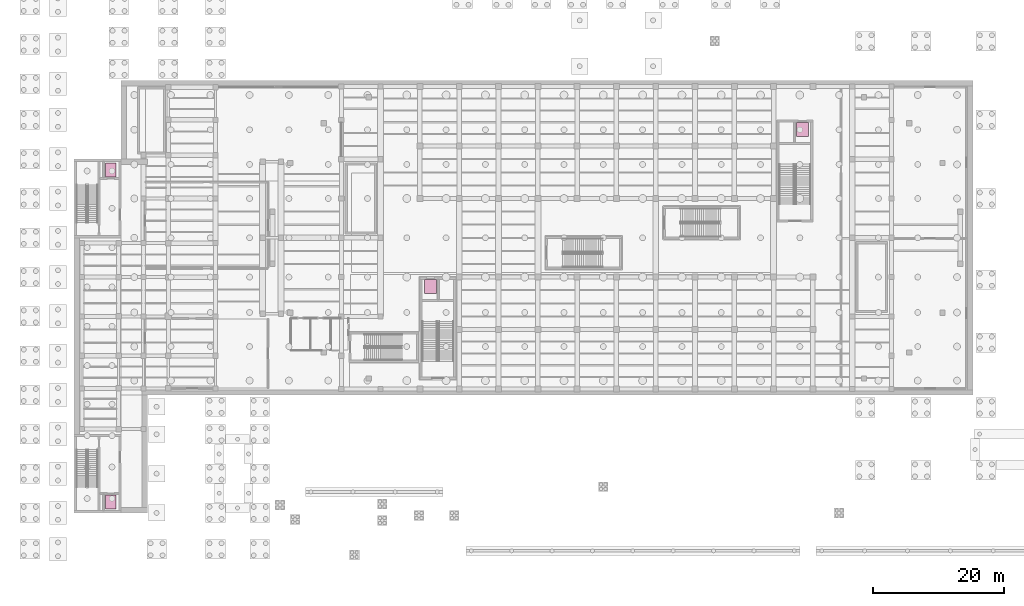
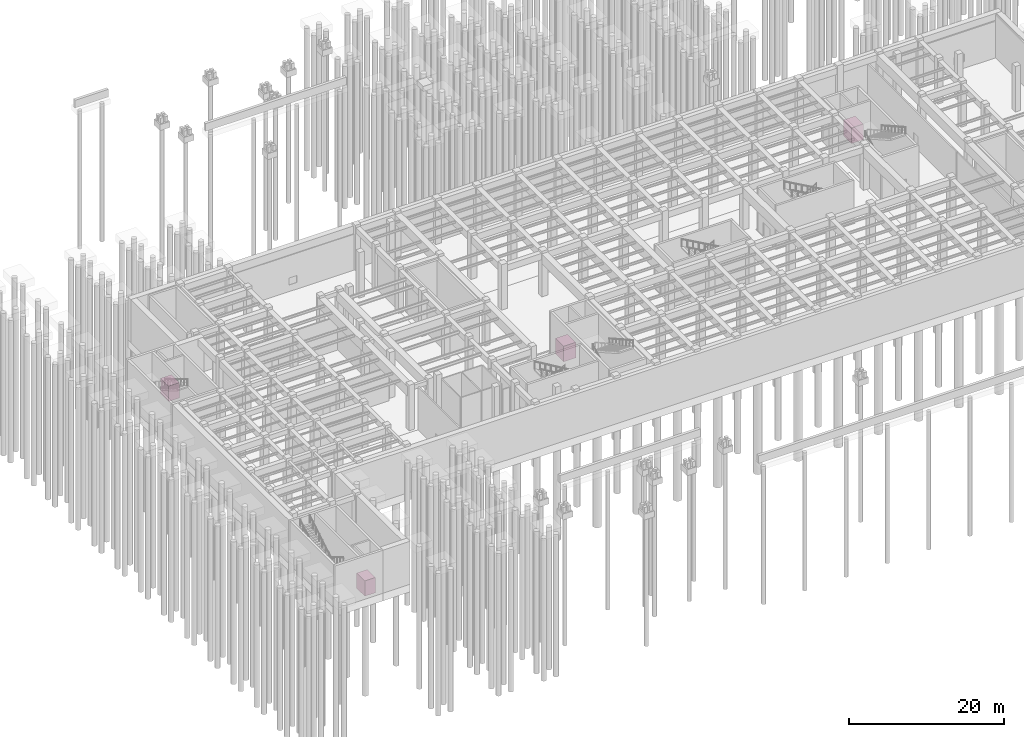
# One storey, part 30 of 30: 4 transport elements.
"""IFC4 building model written with IfcOpenShell, lengths in metres."""

from ifc_helpers import new_model, si_unit, direction, frame, origin, origin_2d, place, context, subcontext, project, spatial, rectangle, extrude, material, type_object, element, save


model = new_model("IFC4")

# Units and contexts
model_context = context("Model", 3, precision=1e-05, world=origin(), true_north=direction((0.0, 1.0)))
body_context = subcontext(model_context, "Body", "Model", "MODEL_VIEW")
ifc_project = project(units=[si_unit("LENGTHUNIT", "METRE"), si_unit("AREAUNIT", "SQUARE_METRE"), si_unit("VOLUMEUNIT", "CUBIC_METRE"), si_unit("PLANEANGLEUNIT", "RADIAN"), si_unit("MASSUNIT", "GRAM", prefix="KILO")], contexts=[model_context])

# Site, building, storey
site_placement = place(None, origin())
site = spatial("IfcSite", under=ifc_project, at=site_placement, CompositionType="ELEMENT")
building_placement = place(site_placement, origin())
building = spatial("IfcBuilding", under=site, at=building_placement, Name="Kolvaren Corner Interchange", CompositionType="ELEMENT")
storey_placement = place(building_placement, frame((0.0, 0.0, -7.199951171875)))
storey = spatial("IfcBuildingStorey", under=building, at=storey_placement, Name="B1", CompositionType="ELEMENT", Elevation=-7.199951171875)

# Transport elements
ifc_material_1 = material(Name="Stainless Steel Firefighting Lift Car", Category="steel")
transport_element_type_1 = type_object("IfcTransportElementType", Name="LFT-FF-1275", PredefinedType="ELEVATOR", material=ifc_material_1)
for number, where, z_axis, x_axis, name in (
    (1, (12.800048828125, 7.64990234375, 0.0), (0.0, 0.0, 1.0), (1.0, 0.0, 0.0), "Passenger and Firefighting Lift LF-FF1 Car"),
    (2, (12.800048828125, 58.35009765625, 0.0), (0.0, 0.0, 1.0), (1.0, 0.0, 0.0), "Passenger and Firefighting Lift LF-FF2 Car"),
):
    element("IfcTransportElement", number, at=place(storey_placement, frame(where, z_axis=z_axis, x_axis=x_axis)), inside=storey, type_object=transport_element_type_1, Name=name, PredefinedType="ELEVATOR", context=body_context, shape_type="SweptSolid", body=[
        extrude(rectangle(XDim=1.60009765625, YDim=2.10009765625, at=origin_2d()), origin(), (0.0, 0.0, 1.0), 2.39990234375),
    ])
ifc_material_2 = material(Name="Stainless Steel Accessible Passenger Lift Car", Category="steel")
transport_element_type_2 = type_object("IfcTransportElementType", Name="LFT-PAX-1600", PredefinedType="ELEVATOR", material=ifc_material_2)
for number, where, z_axis, x_axis, name in (
    (3, (61.60009765625, 40.550048828125, 0.0), (0.0, 0.0, 1.0), (1.0, 0.0, 0.0), "Passenger and Firefighting Lift LF-P1 Car"),
    (4, (118.39990234375, 64.550048828125, 0.0), (0.0, 0.0, 1.0), (1.0, 0.0, 0.0), "Passenger and Firefighting Lift LF-P2 Car"),
):
    element("IfcTransportElement", number, at=place(storey_placement, frame(where, z_axis=z_axis, x_axis=x_axis)), inside=storey, type_object=transport_element_type_2, Name=name, PredefinedType="ELEVATOR", context=body_context, shape_type="SweptSolid", body=[
        extrude(rectangle(XDim=1.800048828125, YDim=2.10009765625, at=origin_2d()), origin(), (0.0, 0.0, 1.0), 2.449951171875),
    ])

save(model, "model.ifc")
